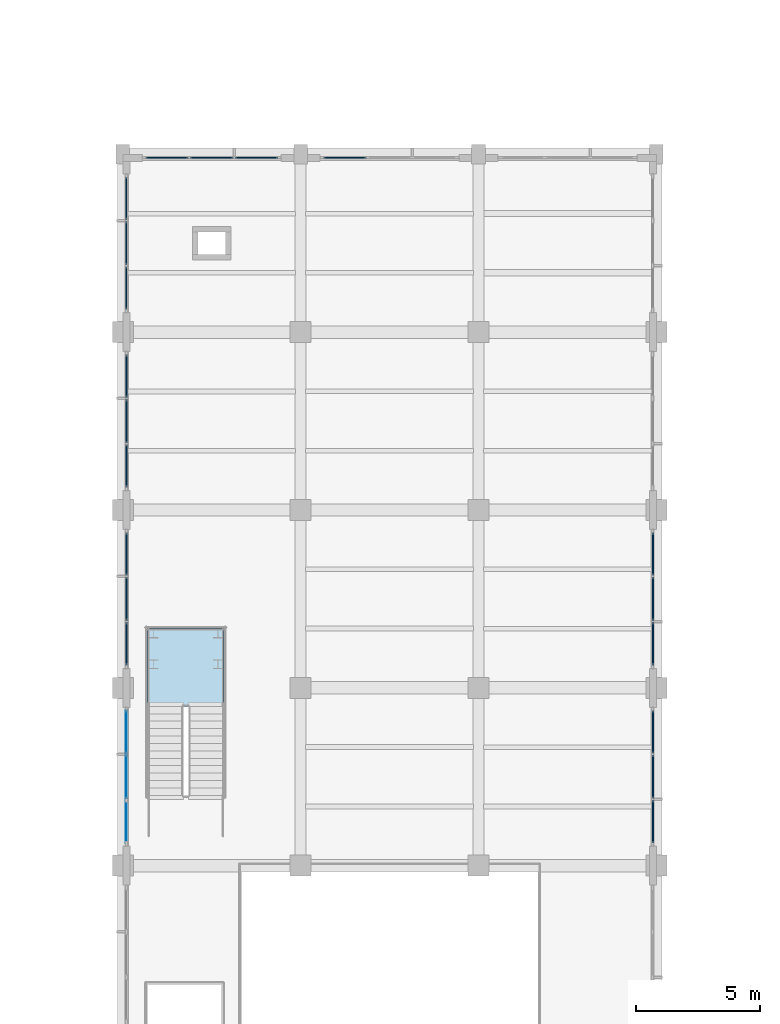
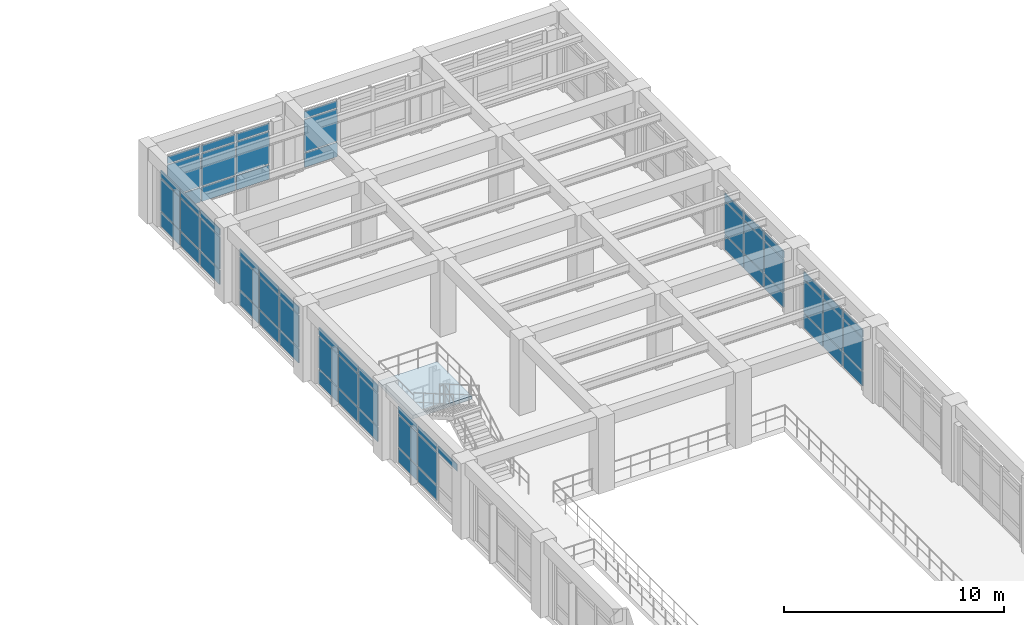
# One storey, part 71 of 98: 64 plates, 1 slab, 9 elements without a shape of their own.
"""IFC4 building model written with IfcOpenShell, lengths in metres."""

from ifc_helpers import new_model, si_unit, direction, frame, origin, origin_2d, place, context, subcontext, project, spatial, polyline, rectangle, outline, extrude, material, layer, layer_set, type_object, element, aggregate, save


model = new_model("IFC4")

# Units and contexts
model_context = context("Model", 3, precision=1e-05, world=origin(), true_north=direction((0.0, 1.0)))
body_context = subcontext(model_context, "Body", "Model", "MODEL_VIEW")
ifc_project = project(units=[si_unit("LENGTHUNIT", "METRE"), si_unit("AREAUNIT", "SQUARE_METRE"), si_unit("VOLUMEUNIT", "CUBIC_METRE"), si_unit("PLANEANGLEUNIT", "RADIAN"), si_unit("MASSUNIT", "GRAM", prefix="KILO")], contexts=[model_context])

# Site, building, storey
site_placement = place(None, origin())
site = spatial("IfcSite", under=ifc_project, at=site_placement, CompositionType="ELEMENT")
building_placement = place(site_placement, origin())
building = spatial("IfcBuilding", under=site, at=building_placement, Name="Solenvale Faculty of Natural Sciences", CompositionType="ELEMENT")
storey_placement = place(building_placement, frame((0.0, 0.0, 9.0)))
storey = spatial("IfcBuildingStorey", under=building, at=storey_placement, Name="L02", CompositionType="ELEMENT", Elevation=9.0)

# Curtain wall, plates
ifc_material_1 = material(Name="Anodised bronze aluminium", Category="aluminium")
ifc_layer_1 = layer(ifc_material_1, 0.215087890625)
ifc_layer_set_1 = layer_set([ifc_layer_1], Name="Anodised bronze aluminium")
curtain_wall_type = type_object("IfcCurtainWallType", Name="CW-ATR-UNIT", PredefinedType="USERDEFINED", material=ifc_layer_set_1)
curtain_wall_1_placement = place(storey_placement, origin())
curtain_wall_1 = element("IfcCurtainWall", 1, at=curtain_wall_1_placement, inside=storey, type_object=curtain_wall_type, Name="L02 Curtain Wall CW-L02-P1-E9-B4", ObjectType="UNITISED CURTAIN WALL", PredefinedType="USERDEFINED")
ifc_material_2 = material(Name="North-light skylight glass", Category="glass")
ifc_layer_2 = layer(ifc_material_2, 0.028076171875)
ifc_layer_set_2 = layer_set([ifc_layer_2], Name="North-light skylight glass")
plate_type_1 = type_object("IfcPlateType", Name="CWP-PNL-28", PredefinedType="CURTAIN_PANEL", material=ifc_layer_set_2)
plate_1_placement = place(storey_placement, frame((36.142578125, 70.214599609375, 0.074951171875), z_axis=(0.0, 0.0, 1.0), x_axis=(0.0, -1.0, 0.0)))
plate_1 = element("IfcPlate", 2, at=plate_1_placement, type_object=plate_type_1, Name="CW-01 panel 1.1", PredefinedType="CURTAIN_PANEL", context=body_context, shape_type="SweptSolid", body=[
    extrude(rectangle(XDim=1.720947265625, YDim=0.028076171875, at=origin_2d()), origin(), (0.0, 0.0, 1.0), 0.78759765625),
])
plate_2_placement = place(storey_placement, frame((36.142578125, 70.214599609375, 0.9375), z_axis=(0.0, 0.0, 1.0), x_axis=(0.0, -1.0, 0.0)))
plate_2 = element("IfcPlate", 3, at=plate_2_placement, type_object=plate_type_1, Name="CW-01 panel 1.2", PredefinedType="CURTAIN_PANEL", context=body_context, shape_type="SweptSolid", body=[
    extrude(rectangle(XDim=1.720947265625, YDim=0.028076171875, at=origin_2d()), origin(), (0.0, 0.0, 1.0), 1.784912109375),
])
plate_3_placement = place(storey_placement, frame((36.142578125, 70.214599609375, 2.79736328125), z_axis=(0.0, 0.0, 1.0), x_axis=(0.0, -1.0, 0.0)))
plate_3 = element("IfcPlate", 4, at=plate_3_placement, type_object=plate_type_1, Name="CW-01 panel 1.3", PredefinedType="CURTAIN_PANEL", context=body_context, shape_type="SweptSolid", body=[
    extrude(rectangle(XDim=1.720947265625, YDim=0.028076171875, at=origin_2d()), origin(), (0.0, 0.0, 1.0), 0.387451171875),
])
plate_4_placement = place(storey_placement, frame((36.142578125, 68.39990234375, 0.074951171875), z_axis=(0.0, 0.0, 1.0), x_axis=(0.0, -1.0, 0.0)))
plate_4 = element("IfcPlate", 5, at=plate_4_placement, type_object=plate_type_1, Name="CW-01 panel 2.1", PredefinedType="CURTAIN_PANEL", context=body_context, shape_type="SweptSolid", body=[
    extrude(rectangle(XDim=1.75830078125, YDim=0.028076171875, at=origin_2d()), origin(), (0.0, 0.0, 1.0), 0.78759765625),
])
plate_5_placement = place(storey_placement, frame((36.142578125, 68.39990234375, 0.9375), z_axis=(0.0, 0.0, 1.0), x_axis=(0.0, -1.0, 0.0)))
plate_5 = element("IfcPlate", 6, at=plate_5_placement, type_object=plate_type_1, Name="CW-01 panel 2.2", PredefinedType="CURTAIN_PANEL", context=body_context, shape_type="SweptSolid", body=[
    extrude(rectangle(XDim=1.75830078125, YDim=0.028076171875, at=origin_2d()), origin(), (0.0, 0.0, 1.0), 1.784912109375),
])
plate_6_placement = place(storey_placement, frame((36.142578125, 68.39990234375, 2.79736328125), z_axis=(0.0, 0.0, 1.0), x_axis=(0.0, -1.0, 0.0)))
plate_6 = element("IfcPlate", 7, at=plate_6_placement, type_object=plate_type_1, Name="CW-01 panel 2.3", PredefinedType="CURTAIN_PANEL", context=body_context, shape_type="SweptSolid", body=[
    extrude(rectangle(XDim=1.75830078125, YDim=0.028076171875, at=origin_2d()), origin(), (0.0, 0.0, 1.0), 0.387451171875),
])
plate_7_placement = place(storey_placement, frame((36.142578125, 66.58544921875, 2.79736328125), z_axis=(0.0, 0.0, 1.0), x_axis=(0.0, -1.0, 0.0)))
plate_7 = element("IfcPlate", 8, at=plate_7_placement, type_object=plate_type_1, Name="CW-01 panel 3.3", PredefinedType="CURTAIN_PANEL", context=body_context, shape_type="SweptSolid", body=[
    extrude(rectangle(XDim=1.720947265625, YDim=0.028076171875, at=origin_2d()), origin(), (0.0, 0.0, 1.0), 0.387451171875),
])
aggregate(curtain_wall_1, [plate_1, plate_2, plate_3, plate_4, plate_5, plate_6, plate_7])

curtain_wall_2_placement = place(storey_placement, origin())
curtain_wall_2 = element("IfcCurtainWall", 9, at=curtain_wall_2_placement, inside=storey, type_object=curtain_wall_type, Name="L02 Curtain Wall CW-L02-P1-E8-B2", ObjectType="UNITISED CURTAIN WALL", PredefinedType="USERDEFINED")
ifc_layer_3 = layer(ifc_material_1, 0.048095703125)
ifc_layer_set_3 = layer_set([ifc_layer_3], Name="Anodised bronze aluminium")
plate_type_2 = type_object("IfcPlateType", Name="CWP-PNL-48", PredefinedType="CURTAIN_PANEL", material=ifc_layer_set_3)
plate_8_placement = place(storey_placement, frame((44.9853515625, 93.45751953125, 0.074951171875), z_axis=(0.0, 0.0, 1.0), x_axis=(-1.0, 0.0, 0.0)))
plate_8 = element("IfcPlate", 10, at=plate_8_placement, type_object=plate_type_2, Name="CW-01 panel 3.1", PredefinedType="CURTAIN_PANEL", context=body_context, shape_type="SweptSolid", body=[
    extrude(rectangle(XDim=1.720947265625, YDim=0.048095703125, at=origin_2d()), origin(), (0.0, 0.0, 1.0), 0.78759765625),
])
plate_9_placement = place(storey_placement, frame((44.9853515625, 93.45751953125, 0.9375), z_axis=(0.0, 0.0, 1.0), x_axis=(-1.0, 0.0, 0.0)))
plate_9 = element("IfcPlate", 11, at=plate_9_placement, type_object=plate_type_2, Name="CW-01 panel 3.2", PredefinedType="CURTAIN_PANEL", context=body_context, shape_type="SweptSolid", body=[
    extrude(rectangle(XDim=1.720947265625, YDim=0.048095703125, at=origin_2d()), origin(), (0.0, 0.0, 1.0), 1.784912109375),
])
plate_10_placement = place(storey_placement, frame((44.9853515625, 93.45751953125, 2.79736328125), z_axis=(0.0, 0.0, 1.0), x_axis=(-1.0, 0.0, 0.0)))
plate_10 = element("IfcPlate", 12, at=plate_10_placement, type_object=plate_type_2, Name="CW-01 panel 3.3", PredefinedType="CURTAIN_PANEL", context=body_context, shape_type="SweptSolid", body=[
    extrude(rectangle(XDim=1.720947265625, YDim=0.048095703125, at=origin_2d()), origin(), (0.0, 0.0, 1.0), 0.387451171875),
])
aggregate(curtain_wall_2, [plate_8, plate_9, plate_10])

curtain_wall_3_placement = place(storey_placement, origin())
curtain_wall_3 = element("IfcCurtainWall", 13, at=curtain_wall_3_placement, inside=storey, type_object=curtain_wall_type, Name="L02 Curtain Wall CW-L02-P1-E9-B1", ObjectType="UNITISED CURTAIN WALL", PredefinedType="USERDEFINED")
plate_11_placement = place(storey_placement, frame((36.142578125, 91.814697265625, 0.074951171875), z_axis=(0.0, 0.0, 1.0), x_axis=(0.0, -1.0, 0.0)))
plate_11 = element("IfcPlate", 14, at=plate_11_placement, type_object=plate_type_2, Name="CW-01 panel 1.1", PredefinedType="CURTAIN_PANEL", context=body_context, shape_type="SweptSolid", body=[
    extrude(rectangle(XDim=1.720947265625, YDim=0.048095703125, at=origin_2d()), origin(), (0.0, 0.0, 1.0), 0.78759765625),
])
plate_12_placement = place(storey_placement, frame((36.142578125, 91.814697265625, 0.9375), z_axis=(0.0, 0.0, 1.0), x_axis=(0.0, -1.0, 0.0)))
plate_12 = element("IfcPlate", 15, at=plate_12_placement, type_object=plate_type_2, Name="CW-01 panel 1.2", PredefinedType="CURTAIN_PANEL", context=body_context, shape_type="SweptSolid", body=[
    extrude(rectangle(XDim=1.720947265625, YDim=0.048095703125, at=origin_2d()), origin(), (0.0, 0.0, 1.0), 1.784912109375),
])
plate_13_placement = place(storey_placement, frame((36.142578125, 91.814697265625, 2.79736328125), z_axis=(0.0, 0.0, 1.0), x_axis=(0.0, -1.0, 0.0)))
plate_13 = element("IfcPlate", 16, at=plate_13_placement, type_object=plate_type_2, Name="CW-01 panel 1.3", PredefinedType="CURTAIN_PANEL", context=body_context, shape_type="SweptSolid", body=[
    extrude(rectangle(XDim=1.720947265625, YDim=0.048095703125, at=origin_2d()), origin(), (0.0, 0.0, 1.0), 0.387451171875),
])
plate_14_placement = place(storey_placement, frame((36.142578125, 90.0, 0.074951171875), z_axis=(0.0, 0.0, 1.0), x_axis=(0.0, -1.0, 0.0)))
plate_14 = element("IfcPlate", 17, at=plate_14_placement, type_object=plate_type_2, Name="CW-01 panel 2.1", PredefinedType="CURTAIN_PANEL", context=body_context, shape_type="SweptSolid", body=[
    extrude(rectangle(XDim=1.75830078125, YDim=0.048095703125, at=origin_2d()), origin(), (0.0, 0.0, 1.0), 0.78759765625),
])
plate_15_placement = place(storey_placement, frame((36.142578125, 90.0, 0.9375), z_axis=(0.0, 0.0, 1.0), x_axis=(0.0, -1.0, 0.0)))
plate_15 = element("IfcPlate", 18, at=plate_15_placement, type_object=plate_type_2, Name="CW-01 panel 2.2", PredefinedType="CURTAIN_PANEL", context=body_context, shape_type="SweptSolid", body=[
    extrude(rectangle(XDim=1.75830078125, YDim=0.048095703125, at=origin_2d()), origin(), (0.0, 0.0, 1.0), 1.784912109375),
])
plate_16_placement = place(storey_placement, frame((36.142578125, 90.0, 2.79736328125), z_axis=(0.0, 0.0, 1.0), x_axis=(0.0, -1.0, 0.0)))
plate_16 = element("IfcPlate", 19, at=plate_16_placement, type_object=plate_type_2, Name="CW-01 panel 2.3", PredefinedType="CURTAIN_PANEL", context=body_context, shape_type="SweptSolid", body=[
    extrude(rectangle(XDim=1.75830078125, YDim=0.048095703125, at=origin_2d()), origin(), (0.0, 0.0, 1.0), 0.387451171875),
])
plate_17_placement = place(storey_placement, frame((36.142578125, 88.185302734375, 0.074951171875), z_axis=(0.0, 0.0, 1.0), x_axis=(0.0, -1.0, 0.0)))
plate_17 = element("IfcPlate", 20, at=plate_17_placement, type_object=plate_type_2, Name="CW-01 panel 3.1", PredefinedType="CURTAIN_PANEL", context=body_context, shape_type="SweptSolid", body=[
    extrude(rectangle(XDim=1.720947265625, YDim=0.048095703125, at=origin_2d()), origin(), (0.0, 0.0, 1.0), 0.78759765625),
])
plate_18_placement = place(storey_placement, frame((36.142578125, 88.185302734375, 0.9375), z_axis=(0.0, 0.0, 1.0), x_axis=(0.0, -1.0, 0.0)))
plate_18 = element("IfcPlate", 21, at=plate_18_placement, type_object=plate_type_2, Name="CW-01 panel 3.2", PredefinedType="CURTAIN_PANEL", context=body_context, shape_type="SweptSolid", body=[
    extrude(rectangle(XDim=1.720947265625, YDim=0.048095703125, at=origin_2d()), origin(), (0.0, 0.0, 1.0), 1.784912109375),
])
plate_19_placement = place(storey_placement, frame((36.142578125, 88.185302734375, 2.79736328125), z_axis=(0.0, 0.0, 1.0), x_axis=(0.0, -1.0, 0.0)))
plate_19 = element("IfcPlate", 22, at=plate_19_placement, type_object=plate_type_2, Name="CW-01 panel 3.3", PredefinedType="CURTAIN_PANEL", context=body_context, shape_type="SweptSolid", body=[
    extrude(rectangle(XDim=1.720947265625, YDim=0.048095703125, at=origin_2d()), origin(), (0.0, 0.0, 1.0), 0.387451171875),
])
aggregate(curtain_wall_3, [plate_11, plate_12, plate_13, plate_14, plate_15, plate_16, plate_17, plate_18, plate_19])

curtain_wall_4_placement = place(storey_placement, origin())
curtain_wall_4 = element("IfcCurtainWall", 23, at=curtain_wall_4_placement, inside=storey, type_object=curtain_wall_type, Name="L02 Curtain Wall CW-L02-P1-E7-B4", ObjectType="UNITISED CURTAIN WALL", PredefinedType="USERDEFINED")
ifc_layer_4 = layer(ifc_material_1, 0.053955078125)
ifc_layer_set_4 = layer_set([ifc_layer_4], Name="Anodised bronze aluminium")
plate_type_3 = type_object("IfcPlateType", Name="CWP-PNL-54", PredefinedType="CURTAIN_PANEL", material=ifc_layer_set_4)
plate_20_placement = place(storey_placement, frame((57.45751953125, 66.58544921875, 0.074951171875), z_axis=(0.0, 0.0, 1.0), x_axis=(0.0, 1.0, 0.0)))
plate_20 = element("IfcPlate", 24, at=plate_20_placement, type_object=plate_type_3, Name="CW-01 panel 1.1", PredefinedType="CURTAIN_PANEL", context=body_context, shape_type="SweptSolid", body=[
    extrude(rectangle(XDim=1.720947265625, YDim=0.053955078125, at=origin_2d()), origin(), (0.0, 0.0, 1.0), 0.78759765625),
])
plate_21_placement = place(storey_placement, frame((57.45751953125, 66.58544921875, 0.9375), z_axis=(0.0, 0.0, 1.0), x_axis=(0.0, 1.0, 0.0)))
plate_21 = element("IfcPlate", 25, at=plate_21_placement, type_object=plate_type_3, Name="CW-01 panel 1.2", PredefinedType="CURTAIN_PANEL", context=body_context, shape_type="SweptSolid", body=[
    extrude(rectangle(XDim=1.720947265625, YDim=0.053955078125, at=origin_2d()), origin(), (0.0, 0.0, 1.0), 1.784912109375),
])
plate_22_placement = place(storey_placement, frame((57.45751953125, 66.58544921875, 2.79736328125), z_axis=(0.0, 0.0, 1.0), x_axis=(0.0, 1.0, 0.0)))
plate_22 = element("IfcPlate", 26, at=plate_22_placement, type_object=plate_type_3, Name="CW-01 panel 1.3", PredefinedType="CURTAIN_PANEL", context=body_context, shape_type="SweptSolid", body=[
    extrude(rectangle(XDim=1.720947265625, YDim=0.053955078125, at=origin_2d()), origin(), (0.0, 0.0, 1.0), 0.387451171875),
])
plate_23_placement = place(storey_placement, frame((57.45751953125, 68.39990234375, 0.074951171875), z_axis=(0.0, 0.0, 1.0), x_axis=(0.0, 1.0, 0.0)))
plate_23 = element("IfcPlate", 27, at=plate_23_placement, type_object=plate_type_3, Name="CW-01 panel 2.1", PredefinedType="CURTAIN_PANEL", context=body_context, shape_type="SweptSolid", body=[
    extrude(rectangle(XDim=1.75830078125, YDim=0.053955078125, at=origin_2d()), origin(), (0.0, 0.0, 1.0), 0.78759765625),
])
plate_24_placement = place(storey_placement, frame((57.45751953125, 68.39990234375, 0.9375), z_axis=(0.0, 0.0, 1.0), x_axis=(0.0, 1.0, 0.0)))
plate_24 = element("IfcPlate", 28, at=plate_24_placement, type_object=plate_type_3, Name="CW-01 panel 2.2", PredefinedType="CURTAIN_PANEL", context=body_context, shape_type="SweptSolid", body=[
    extrude(rectangle(XDim=1.75830078125, YDim=0.053955078125, at=origin_2d()), origin(), (0.0, 0.0, 1.0), 1.784912109375),
])
plate_25_placement = place(storey_placement, frame((57.45751953125, 68.39990234375, 2.79736328125), z_axis=(0.0, 0.0, 1.0), x_axis=(0.0, 1.0, 0.0)))
plate_25 = element("IfcPlate", 29, at=plate_25_placement, type_object=plate_type_3, Name="CW-01 panel 2.3", PredefinedType="CURTAIN_PANEL", context=body_context, shape_type="SweptSolid", body=[
    extrude(rectangle(XDim=1.75830078125, YDim=0.053955078125, at=origin_2d()), origin(), (0.0, 0.0, 1.0), 0.387451171875),
])
plate_26_placement = place(storey_placement, frame((57.45751953125, 70.214599609375, 0.074951171875), z_axis=(0.0, 0.0, 1.0), x_axis=(0.0, 1.0, 0.0)))
plate_26 = element("IfcPlate", 30, at=plate_26_placement, type_object=plate_type_3, Name="CW-01 panel 3.1", PredefinedType="CURTAIN_PANEL", context=body_context, shape_type="SweptSolid", body=[
    extrude(rectangle(XDim=1.720947265625, YDim=0.053955078125, at=origin_2d()), origin(), (0.0, 0.0, 1.0), 0.78759765625),
])
plate_27_placement = place(storey_placement, frame((57.45751953125, 70.214599609375, 0.9375), z_axis=(0.0, 0.0, 1.0), x_axis=(0.0, 1.0, 0.0)))
plate_27 = element("IfcPlate", 31, at=plate_27_placement, type_object=plate_type_3, Name="CW-01 panel 3.2", PredefinedType="CURTAIN_PANEL", context=body_context, shape_type="SweptSolid", body=[
    extrude(rectangle(XDim=1.720947265625, YDim=0.053955078125, at=origin_2d()), origin(), (0.0, 0.0, 1.0), 1.784912109375),
])
plate_28_placement = place(storey_placement, frame((57.45751953125, 70.214599609375, 2.79736328125), z_axis=(0.0, 0.0, 1.0), x_axis=(0.0, 1.0, 0.0)))
plate_28 = element("IfcPlate", 32, at=plate_28_placement, type_object=plate_type_3, Name="CW-01 panel 3.3", PredefinedType="CURTAIN_PANEL", context=body_context, shape_type="SweptSolid", body=[
    extrude(rectangle(XDim=1.720947265625, YDim=0.053955078125, at=origin_2d()), origin(), (0.0, 0.0, 1.0), 0.387451171875),
])
aggregate(curtain_wall_4, [plate_20, plate_21, plate_22, plate_23, plate_24, plate_25, plate_26, plate_27, plate_28])

curtain_wall_5_placement = place(storey_placement, origin())
curtain_wall_5 = element("IfcCurtainWall", 33, at=curtain_wall_5_placement, inside=storey, type_object=curtain_wall_type, Name="L02 Curtain Wall CW-L02-P1-E8-B3", ObjectType="UNITISED CURTAIN WALL", PredefinedType="USERDEFINED")
plate_29_placement = place(storey_placement, frame((41.41455078125, 93.45751953125, 0.074951171875), z_axis=(0.0, 0.0, 1.0), x_axis=(-1.0, 0.0, 0.0)))
plate_29 = element("IfcPlate", 34, at=plate_29_placement, type_object=plate_type_3, Name="CW-01 panel 1.1", PredefinedType="CURTAIN_PANEL", context=body_context, shape_type="SweptSolid", body=[
    extrude(rectangle(XDim=1.720947265625, YDim=0.053955078125, at=origin_2d()), origin(), (0.0, 0.0, 1.0), 0.78759765625),
])
plate_30_placement = place(storey_placement, frame((41.41455078125, 93.45751953125, 0.9375), z_axis=(0.0, 0.0, 1.0), x_axis=(-1.0, 0.0, 0.0)))
plate_30 = element("IfcPlate", 35, at=plate_30_placement, type_object=plate_type_3, Name="CW-01 panel 1.2", PredefinedType="CURTAIN_PANEL", context=body_context, shape_type="SweptSolid", body=[
    extrude(rectangle(XDim=1.720947265625, YDim=0.053955078125, at=origin_2d()), origin(), (0.0, 0.0, 1.0), 1.784912109375),
])
plate_31_placement = place(storey_placement, frame((41.41455078125, 93.45751953125, 2.79736328125), z_axis=(0.0, 0.0, 1.0), x_axis=(-1.0, 0.0, 0.0)))
plate_31 = element("IfcPlate", 36, at=plate_31_placement, type_object=plate_type_3, Name="CW-01 panel 1.3", PredefinedType="CURTAIN_PANEL", context=body_context, shape_type="SweptSolid", body=[
    extrude(rectangle(XDim=1.720947265625, YDim=0.053955078125, at=origin_2d()), origin(), (0.0, 0.0, 1.0), 0.387451171875),
])
plate_32_placement = place(storey_placement, frame((39.60009765625, 93.45751953125, 0.074951171875), z_axis=(0.0, 0.0, 1.0), x_axis=(-1.0, 0.0, 0.0)))
plate_32 = element("IfcPlate", 37, at=plate_32_placement, type_object=plate_type_3, Name="CW-01 panel 2.1", PredefinedType="CURTAIN_PANEL", context=body_context, shape_type="SweptSolid", body=[
    extrude(rectangle(XDim=1.75830078125, YDim=0.053955078125, at=origin_2d()), origin(), (0.0, 0.0, 1.0), 0.78759765625),
])
plate_33_placement = place(storey_placement, frame((39.60009765625, 93.45751953125, 0.9375), z_axis=(0.0, 0.0, 1.0), x_axis=(-1.0, 0.0, 0.0)))
plate_33 = element("IfcPlate", 38, at=plate_33_placement, type_object=plate_type_3, Name="CW-01 panel 2.2", PredefinedType="CURTAIN_PANEL", context=body_context, shape_type="SweptSolid", body=[
    extrude(rectangle(XDim=1.75830078125, YDim=0.053955078125, at=origin_2d()), origin(), (0.0, 0.0, 1.0), 1.784912109375),
])
plate_34_placement = place(storey_placement, frame((39.60009765625, 93.45751953125, 2.79736328125), z_axis=(0.0, 0.0, 1.0), x_axis=(-1.0, 0.0, 0.0)))
plate_34 = element("IfcPlate", 39, at=plate_34_placement, type_object=plate_type_3, Name="CW-01 panel 2.3", PredefinedType="CURTAIN_PANEL", context=body_context, shape_type="SweptSolid", body=[
    extrude(rectangle(XDim=1.75830078125, YDim=0.053955078125, at=origin_2d()), origin(), (0.0, 0.0, 1.0), 0.387451171875),
])
plate_35_placement = place(storey_placement, frame((37.785400390625, 93.45751953125, 0.074951171875), z_axis=(0.0, 0.0, 1.0), x_axis=(-1.0, 0.0, 0.0)))
plate_35 = element("IfcPlate", 40, at=plate_35_placement, type_object=plate_type_3, Name="CW-01 panel 3.1", PredefinedType="CURTAIN_PANEL", context=body_context, shape_type="SweptSolid", body=[
    extrude(rectangle(XDim=1.720947265625, YDim=0.053955078125, at=origin_2d()), origin(), (0.0, 0.0, 1.0), 0.78759765625),
])
plate_36_placement = place(storey_placement, frame((37.785400390625, 93.45751953125, 0.9375), z_axis=(0.0, 0.0, 1.0), x_axis=(-1.0, 0.0, 0.0)))
plate_36 = element("IfcPlate", 41, at=plate_36_placement, type_object=plate_type_3, Name="CW-01 panel 3.2", PredefinedType="CURTAIN_PANEL", context=body_context, shape_type="SweptSolid", body=[
    extrude(rectangle(XDim=1.720947265625, YDim=0.053955078125, at=origin_2d()), origin(), (0.0, 0.0, 1.0), 1.784912109375),
])
plate_37_placement = place(storey_placement, frame((37.785400390625, 93.45751953125, 2.79736328125), z_axis=(0.0, 0.0, 1.0), x_axis=(-1.0, 0.0, 0.0)))
plate_37 = element("IfcPlate", 42, at=plate_37_placement, type_object=plate_type_3, Name="CW-01 panel 3.3", PredefinedType="CURTAIN_PANEL", context=body_context, shape_type="SweptSolid", body=[
    extrude(rectangle(XDim=1.720947265625, YDim=0.053955078125, at=origin_2d()), origin(), (0.0, 0.0, 1.0), 0.387451171875),
])
aggregate(curtain_wall_5, [plate_29, plate_30, plate_31, plate_32, plate_33, plate_34, plate_35, plate_36, plate_37])

curtain_wall_6_placement = place(storey_placement, origin())
curtain_wall_6 = element("IfcCurtainWall", 43, at=curtain_wall_6_placement, inside=storey, type_object=curtain_wall_type, Name="L02 Curtain Wall CW-L02-P1-E9-B2", ObjectType="UNITISED CURTAIN WALL", PredefinedType="USERDEFINED")
plate_38_placement = place(storey_placement, frame((36.142578125, 84.614501953125, 0.074951171875), z_axis=(0.0, 0.0, 1.0), x_axis=(0.0, -1.0, 0.0)))
plate_38 = element("IfcPlate", 44, at=plate_38_placement, type_object=plate_type_3, Name="CW-01 panel 1.1", PredefinedType="CURTAIN_PANEL", context=body_context, shape_type="SweptSolid", body=[
    extrude(rectangle(XDim=1.720947265625, YDim=0.053955078125, at=origin_2d()), origin(), (0.0, 0.0, 1.0), 0.78759765625),
])
plate_39_placement = place(storey_placement, frame((36.142578125, 84.614501953125, 0.9375), z_axis=(0.0, 0.0, 1.0), x_axis=(0.0, -1.0, 0.0)))
plate_39 = element("IfcPlate", 45, at=plate_39_placement, type_object=plate_type_3, Name="CW-01 panel 1.2", PredefinedType="CURTAIN_PANEL", context=body_context, shape_type="SweptSolid", body=[
    extrude(rectangle(XDim=1.720947265625, YDim=0.053955078125, at=origin_2d()), origin(), (0.0, 0.0, 1.0), 1.784912109375),
])
plate_40_placement = place(storey_placement, frame((36.142578125, 84.614501953125, 2.79736328125), z_axis=(0.0, 0.0, 1.0), x_axis=(0.0, -1.0, 0.0)))
plate_40 = element("IfcPlate", 46, at=plate_40_placement, type_object=plate_type_3, Name="CW-01 panel 1.3", PredefinedType="CURTAIN_PANEL", context=body_context, shape_type="SweptSolid", body=[
    extrude(rectangle(XDim=1.720947265625, YDim=0.053955078125, at=origin_2d()), origin(), (0.0, 0.0, 1.0), 0.387451171875),
])
plate_41_placement = place(storey_placement, frame((36.142578125, 82.800048828125, 0.074951171875), z_axis=(0.0, 0.0, 1.0), x_axis=(0.0, -1.0, 0.0)))
plate_41 = element("IfcPlate", 47, at=plate_41_placement, type_object=plate_type_3, Name="CW-01 panel 2.1", PredefinedType="CURTAIN_PANEL", context=body_context, shape_type="SweptSolid", body=[
    extrude(rectangle(XDim=1.75830078125, YDim=0.053955078125, at=origin_2d()), origin(), (0.0, 0.0, 1.0), 0.78759765625),
])
plate_42_placement = place(storey_placement, frame((36.142578125, 82.800048828125, 0.9375), z_axis=(0.0, 0.0, 1.0), x_axis=(0.0, -1.0, 0.0)))
plate_42 = element("IfcPlate", 48, at=plate_42_placement, type_object=plate_type_3, Name="CW-01 panel 2.2", PredefinedType="CURTAIN_PANEL", context=body_context, shape_type="SweptSolid", body=[
    extrude(rectangle(XDim=1.75830078125, YDim=0.053955078125, at=origin_2d()), origin(), (0.0, 0.0, 1.0), 1.784912109375),
])
plate_43_placement = place(storey_placement, frame((36.142578125, 82.800048828125, 2.79736328125), z_axis=(0.0, 0.0, 1.0), x_axis=(0.0, -1.0, 0.0)))
plate_43 = element("IfcPlate", 49, at=plate_43_placement, type_object=plate_type_3, Name="CW-01 panel 2.3", PredefinedType="CURTAIN_PANEL", context=body_context, shape_type="SweptSolid", body=[
    extrude(rectangle(XDim=1.75830078125, YDim=0.053955078125, at=origin_2d()), origin(), (0.0, 0.0, 1.0), 0.387451171875),
])
plate_44_placement = place(storey_placement, frame((36.142578125, 80.9853515625, 0.074951171875), z_axis=(0.0, 0.0, 1.0), x_axis=(0.0, -1.0, 0.0)))
plate_44 = element("IfcPlate", 50, at=plate_44_placement, type_object=plate_type_3, Name="CW-01 panel 3.1", PredefinedType="CURTAIN_PANEL", context=body_context, shape_type="SweptSolid", body=[
    extrude(rectangle(XDim=1.720947265625, YDim=0.053955078125, at=origin_2d()), origin(), (0.0, 0.0, 1.0), 0.78759765625),
])
plate_45_placement = place(storey_placement, frame((36.142578125, 80.9853515625, 0.9375), z_axis=(0.0, 0.0, 1.0), x_axis=(0.0, -1.0, 0.0)))
plate_45 = element("IfcPlate", 51, at=plate_45_placement, type_object=plate_type_3, Name="CW-01 panel 3.2", PredefinedType="CURTAIN_PANEL", context=body_context, shape_type="SweptSolid", body=[
    extrude(rectangle(XDim=1.720947265625, YDim=0.053955078125, at=origin_2d()), origin(), (0.0, 0.0, 1.0), 1.784912109375),
])
plate_46_placement = place(storey_placement, frame((36.142578125, 80.9853515625, 2.79736328125), z_axis=(0.0, 0.0, 1.0), x_axis=(0.0, -1.0, 0.0)))
plate_46 = element("IfcPlate", 52, at=plate_46_placement, type_object=plate_type_3, Name="CW-01 panel 3.3", PredefinedType="CURTAIN_PANEL", context=body_context, shape_type="SweptSolid", body=[
    extrude(rectangle(XDim=1.720947265625, YDim=0.053955078125, at=origin_2d()), origin(), (0.0, 0.0, 1.0), 0.387451171875),
])
aggregate(curtain_wall_6, [plate_38, plate_39, plate_40, plate_41, plate_42, plate_43, plate_44, plate_45, plate_46])

curtain_wall_7_placement = place(storey_placement, origin())
curtain_wall_7 = element("IfcCurtainWall", 53, at=curtain_wall_7_placement, inside=storey, type_object=curtain_wall_type, Name="L02 Curtain Wall CW-L02-P1-E7-B5", ObjectType="UNITISED CURTAIN WALL", PredefinedType="USERDEFINED")
ifc_layer_5 = layer(ifc_material_1, 0.06005859375)
ifc_layer_set_5 = layer_set([ifc_layer_5], Name="Anodised bronze aluminium")
plate_type_4 = type_object("IfcPlateType", Name="CWP-PNL-60", PredefinedType="CURTAIN_PANEL", material=ifc_layer_set_5)
plate_47_placement = place(storey_placement, frame((57.45751953125, 73.785400390625, 0.074951171875), z_axis=(0.0, 0.0, 1.0), x_axis=(0.0, 1.0, 0.0)))
plate_47 = element("IfcPlate", 54, at=plate_47_placement, type_object=plate_type_4, Name="CW-01 panel 1.1", PredefinedType="CURTAIN_PANEL", context=body_context, shape_type="SweptSolid", body=[
    extrude(rectangle(XDim=1.720947265625, YDim=0.06005859375, at=origin_2d()), origin(), (0.0, 0.0, 1.0), 0.78759765625),
])
plate_48_placement = place(storey_placement, frame((57.45751953125, 73.785400390625, 0.9375), z_axis=(0.0, 0.0, 1.0), x_axis=(0.0, 1.0, 0.0)))
plate_48 = element("IfcPlate", 55, at=plate_48_placement, type_object=plate_type_4, Name="CW-01 panel 1.2", PredefinedType="CURTAIN_PANEL", context=body_context, shape_type="SweptSolid", body=[
    extrude(rectangle(XDim=1.720947265625, YDim=0.06005859375, at=origin_2d()), origin(), (0.0, 0.0, 1.0), 1.784912109375),
])
plate_49_placement = place(storey_placement, frame((57.45751953125, 73.785400390625, 2.79736328125), z_axis=(0.0, 0.0, 1.0), x_axis=(0.0, 1.0, 0.0)))
plate_49 = element("IfcPlate", 56, at=plate_49_placement, type_object=plate_type_4, Name="CW-01 panel 1.3", PredefinedType="CURTAIN_PANEL", context=body_context, shape_type="SweptSolid", body=[
    extrude(rectangle(XDim=1.720947265625, YDim=0.06005859375, at=origin_2d()), origin(), (0.0, 0.0, 1.0), 0.387451171875),
])
plate_50_placement = place(storey_placement, frame((57.45751953125, 75.60009765625, 0.074951171875), z_axis=(0.0, 0.0, 1.0), x_axis=(0.0, 1.0, 0.0)))
plate_50 = element("IfcPlate", 57, at=plate_50_placement, type_object=plate_type_4, Name="CW-01 panel 2.1", PredefinedType="CURTAIN_PANEL", context=body_context, shape_type="SweptSolid", body=[
    extrude(rectangle(XDim=1.75830078125, YDim=0.06005859375, at=origin_2d()), origin(), (0.0, 0.0, 1.0), 0.78759765625),
])
plate_51_placement = place(storey_placement, frame((57.45751953125, 75.60009765625, 0.9375), z_axis=(0.0, 0.0, 1.0), x_axis=(0.0, 1.0, 0.0)))
plate_51 = element("IfcPlate", 58, at=plate_51_placement, type_object=plate_type_4, Name="CW-01 panel 2.2", PredefinedType="CURTAIN_PANEL", context=body_context, shape_type="SweptSolid", body=[
    extrude(rectangle(XDim=1.75830078125, YDim=0.06005859375, at=origin_2d()), origin(), (0.0, 0.0, 1.0), 1.784912109375),
])
plate_52_placement = place(storey_placement, frame((57.45751953125, 75.60009765625, 2.79736328125), z_axis=(0.0, 0.0, 1.0), x_axis=(0.0, 1.0, 0.0)))
plate_52 = element("IfcPlate", 59, at=plate_52_placement, type_object=plate_type_4, Name="CW-01 panel 2.3", PredefinedType="CURTAIN_PANEL", context=body_context, shape_type="SweptSolid", body=[
    extrude(rectangle(XDim=1.75830078125, YDim=0.06005859375, at=origin_2d()), origin(), (0.0, 0.0, 1.0), 0.387451171875),
])
plate_53_placement = place(storey_placement, frame((57.45751953125, 77.41455078125, 0.074951171875), z_axis=(0.0, 0.0, 1.0), x_axis=(0.0, 1.0, 0.0)))
plate_53 = element("IfcPlate", 60, at=plate_53_placement, type_object=plate_type_4, Name="CW-01 panel 3.1", PredefinedType="CURTAIN_PANEL", context=body_context, shape_type="SweptSolid", body=[
    extrude(rectangle(XDim=1.720947265625, YDim=0.06005859375, at=origin_2d()), origin(), (0.0, 0.0, 1.0), 0.78759765625),
])
plate_54_placement = place(storey_placement, frame((57.45751953125, 77.41455078125, 0.9375), z_axis=(0.0, 0.0, 1.0), x_axis=(0.0, 1.0, 0.0)))
plate_54 = element("IfcPlate", 61, at=plate_54_placement, type_object=plate_type_4, Name="CW-01 panel 3.2", PredefinedType="CURTAIN_PANEL", context=body_context, shape_type="SweptSolid", body=[
    extrude(rectangle(XDim=1.720947265625, YDim=0.06005859375, at=origin_2d()), origin(), (0.0, 0.0, 1.0), 1.784912109375),
])
plate_55_placement = place(storey_placement, frame((57.45751953125, 77.41455078125, 2.79736328125), z_axis=(0.0, 0.0, 1.0), x_axis=(0.0, 1.0, 0.0)))
plate_55 = element("IfcPlate", 62, at=plate_55_placement, type_object=plate_type_4, Name="CW-01 panel 3.3", PredefinedType="CURTAIN_PANEL", context=body_context, shape_type="SweptSolid", body=[
    extrude(rectangle(XDim=1.720947265625, YDim=0.06005859375, at=origin_2d()), origin(), (0.0, 0.0, 1.0), 0.387451171875),
])
aggregate(curtain_wall_7, [plate_47, plate_48, plate_49, plate_50, plate_51, plate_52, plate_53, plate_54, plate_55])

curtain_wall_8_placement = place(storey_placement, origin())
curtain_wall_8 = element("IfcCurtainWall", 63, at=curtain_wall_8_placement, inside=storey, type_object=curtain_wall_type, Name="L02 Curtain Wall CW-L02-P1-E9-B3", ObjectType="UNITISED CURTAIN WALL", PredefinedType="USERDEFINED")
plate_56_placement = place(storey_placement, frame((36.142578125, 77.41455078125, 0.074951171875), z_axis=(0.0, 0.0, 1.0), x_axis=(0.0, -1.0, 0.0)))
plate_56 = element("IfcPlate", 64, at=plate_56_placement, type_object=plate_type_4, Name="CW-01 panel 1.1", PredefinedType="CURTAIN_PANEL", context=body_context, shape_type="SweptSolid", body=[
    extrude(rectangle(XDim=1.720947265625, YDim=0.06005859375, at=origin_2d()), origin(), (0.0, 0.0, 1.0), 0.78759765625),
])
plate_57_placement = place(storey_placement, frame((36.142578125, 77.41455078125, 0.9375), z_axis=(0.0, 0.0, 1.0), x_axis=(0.0, -1.0, 0.0)))
plate_57 = element("IfcPlate", 65, at=plate_57_placement, type_object=plate_type_4, Name="CW-01 panel 1.2", PredefinedType="CURTAIN_PANEL", context=body_context, shape_type="SweptSolid", body=[
    extrude(rectangle(XDim=1.720947265625, YDim=0.06005859375, at=origin_2d()), origin(), (0.0, 0.0, 1.0), 1.784912109375),
])
plate_58_placement = place(storey_placement, frame((36.142578125, 77.41455078125, 2.79736328125), z_axis=(0.0, 0.0, 1.0), x_axis=(0.0, -1.0, 0.0)))
plate_58 = element("IfcPlate", 66, at=plate_58_placement, type_object=plate_type_4, Name="CW-01 panel 1.3", PredefinedType="CURTAIN_PANEL", context=body_context, shape_type="SweptSolid", body=[
    extrude(rectangle(XDim=1.720947265625, YDim=0.06005859375, at=origin_2d()), origin(), (0.0, 0.0, 1.0), 0.387451171875),
])
plate_59_placement = place(storey_placement, frame((36.142578125, 75.60009765625, 0.074951171875), z_axis=(0.0, 0.0, 1.0), x_axis=(0.0, -1.0, 0.0)))
plate_59 = element("IfcPlate", 67, at=plate_59_placement, type_object=plate_type_4, Name="CW-01 panel 2.1", PredefinedType="CURTAIN_PANEL", context=body_context, shape_type="SweptSolid", body=[
    extrude(rectangle(XDim=1.75830078125, YDim=0.06005859375, at=origin_2d()), origin(), (0.0, 0.0, 1.0), 0.78759765625),
])
plate_60_placement = place(storey_placement, frame((36.142578125, 75.60009765625, 0.9375), z_axis=(0.0, 0.0, 1.0), x_axis=(0.0, -1.0, 0.0)))
plate_60 = element("IfcPlate", 68, at=plate_60_placement, type_object=plate_type_4, Name="CW-01 panel 2.2", PredefinedType="CURTAIN_PANEL", context=body_context, shape_type="SweptSolid", body=[
    extrude(rectangle(XDim=1.75830078125, YDim=0.06005859375, at=origin_2d()), origin(), (0.0, 0.0, 1.0), 1.784912109375),
])
plate_61_placement = place(storey_placement, frame((36.142578125, 75.60009765625, 2.79736328125), z_axis=(0.0, 0.0, 1.0), x_axis=(0.0, -1.0, 0.0)))
plate_61 = element("IfcPlate", 69, at=plate_61_placement, type_object=plate_type_4, Name="CW-01 panel 2.3", PredefinedType="CURTAIN_PANEL", context=body_context, shape_type="SweptSolid", body=[
    extrude(rectangle(XDim=1.75830078125, YDim=0.06005859375, at=origin_2d()), origin(), (0.0, 0.0, 1.0), 0.387451171875),
])
plate_62_placement = place(storey_placement, frame((36.142578125, 73.785400390625, 0.074951171875), z_axis=(0.0, 0.0, 1.0), x_axis=(0.0, -1.0, 0.0)))
plate_62 = element("IfcPlate", 70, at=plate_62_placement, type_object=plate_type_4, Name="CW-01 panel 3.1", PredefinedType="CURTAIN_PANEL", context=body_context, shape_type="SweptSolid", body=[
    extrude(rectangle(XDim=1.720947265625, YDim=0.06005859375, at=origin_2d()), origin(), (0.0, 0.0, 1.0), 0.78759765625),
])
plate_63_placement = place(storey_placement, frame((36.142578125, 73.785400390625, 0.9375), z_axis=(0.0, 0.0, 1.0), x_axis=(0.0, -1.0, 0.0)))
plate_63 = element("IfcPlate", 71, at=plate_63_placement, type_object=plate_type_4, Name="CW-01 panel 3.2", PredefinedType="CURTAIN_PANEL", context=body_context, shape_type="SweptSolid", body=[
    extrude(rectangle(XDim=1.720947265625, YDim=0.06005859375, at=origin_2d()), origin(), (0.0, 0.0, 1.0), 1.784912109375),
])
plate_64_placement = place(storey_placement, frame((36.142578125, 73.785400390625, 2.79736328125), z_axis=(0.0, 0.0, 1.0), x_axis=(0.0, -1.0, 0.0)))
plate_64 = element("IfcPlate", 72, at=plate_64_placement, type_object=plate_type_4, Name="CW-01 panel 3.3", PredefinedType="CURTAIN_PANEL", context=body_context, shape_type="SweptSolid", body=[
    extrude(rectangle(XDim=1.720947265625, YDim=0.06005859375, at=origin_2d()), origin(), (0.0, 0.0, 1.0), 0.387451171875),
])
aggregate(curtain_wall_8, [plate_56, plate_57, plate_58, plate_59, plate_60, plate_61, plate_62, plate_63, plate_64])

# Stair, slab
ifc_material_3 = material(Name="Concrete 40 MPa", Category="concrete")
stair_type = type_object("IfcStairType", Name="STR-FEAT-27R", PredefinedType="DOUBLE_RETURN_STAIR", material=ifc_material_3)
stair_placement = place(storey_placement, origin())
stair = element("IfcStair", 73, at=stair_placement, inside=storey, type_object=stair_type, Name="L02 Atrium Feature Stair ST-06", PredefinedType="DOUBLE_RETURN_STAIR")
ifc_layer_6 = layer(ifc_material_3, 0.179931640625)
ifc_layer_set_6 = layer_set([ifc_layer_6], Name="Concrete 40 MPa")
slab_type = type_object("IfcSlabType", Name="SL-LND-180", PredefinedType="LANDING", material=ifc_layer_set_6)
slab_placement = place(storey_placement, frame((0.0, 0.0, 2.050048828125)))
slab = element("IfcSlab", 74, at=slab_placement, type_object=slab_type, Name="ST-06 landing 1", PredefinedType="LANDING", context=body_context, shape_type="SweptSolid", body=[
    extrude(outline(polyline([(40.10009765625, 71.25), (40.10009765625, 74.39990234375), (37.0, 74.39990234375), (37.0, 71.25), (40.10009765625, 71.25)])), origin(), (0.0, 0.0, 1.0), 0.199951171875),
])
aggregate(stair, [slab])

save(model, "model.ifc")
